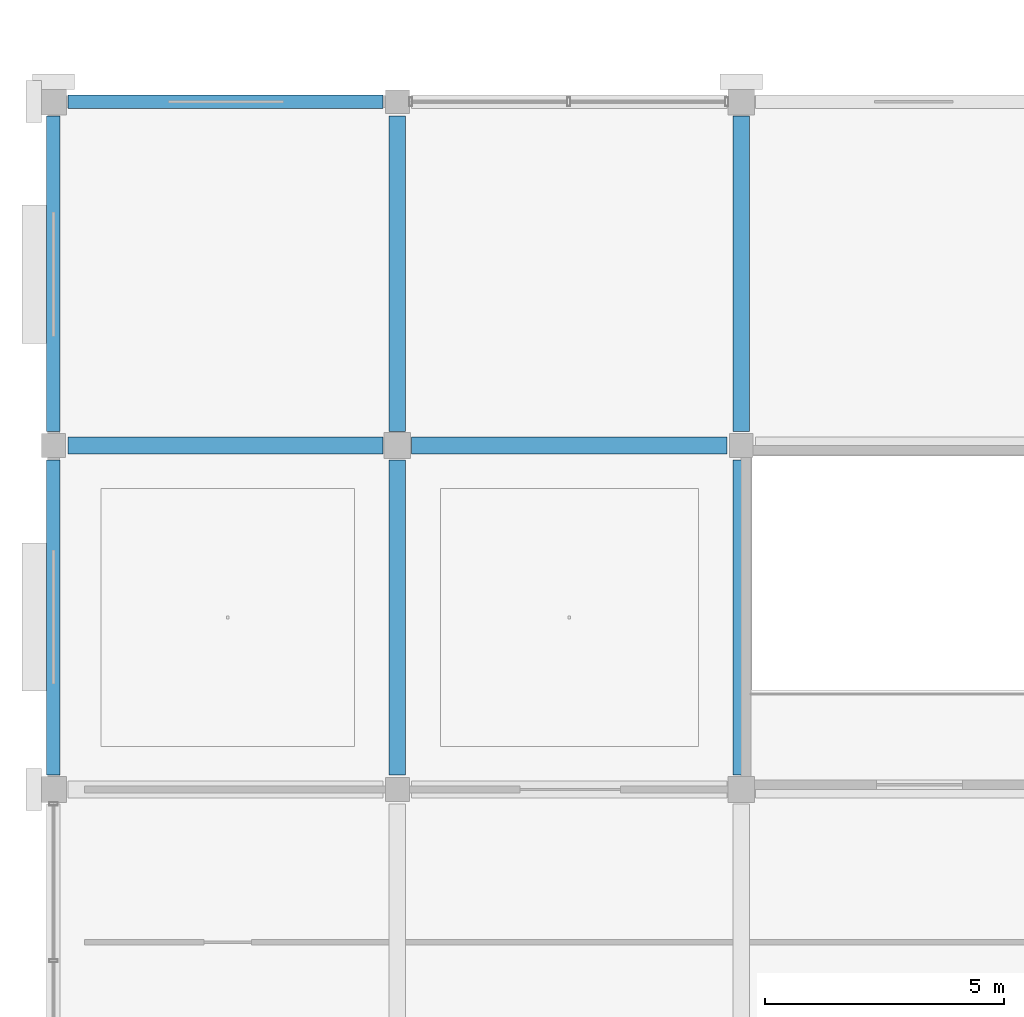
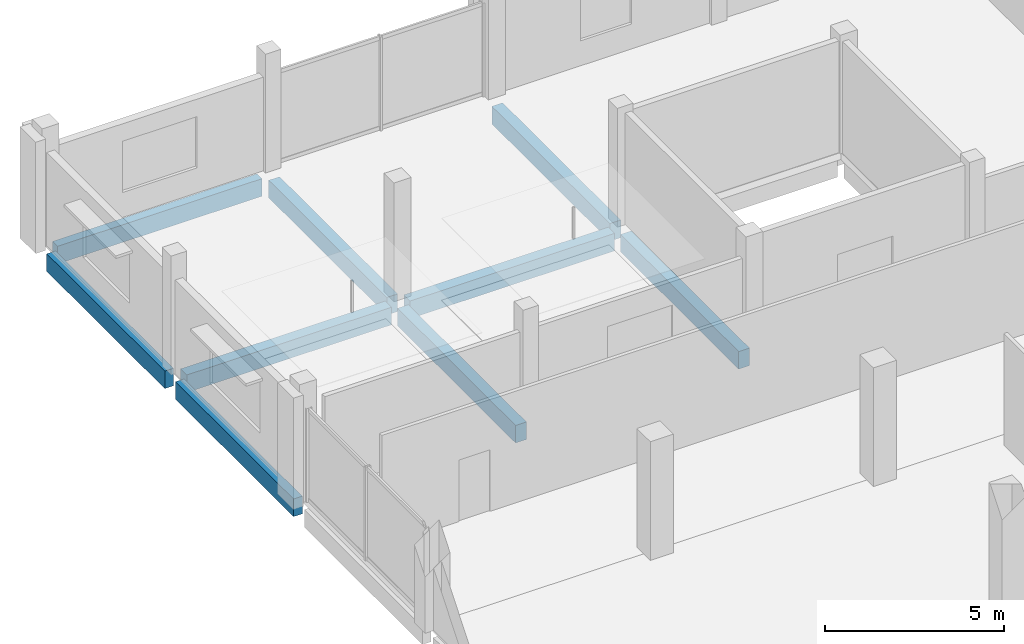
# One storey, part 21 of 91: 9 beams.
"""IFC4 building model written with IfcOpenShell, lengths in metres."""

import ifcopenshell
import ifcopenshell.guid

model = None  # the IFC model being written
_history = None  # IfcOwnerHistory: only IFC2X3 demands one
_inside = {}  # id of a spatial element -> (the spatial element, [elements in it])
_under = {}  # id of a project, library or spatial element -> (it, [spatial elements below it])
_declared = {}  # id of a project -> (the project, [libraries it declares])
_typed = {}  # id of a type object -> (the type object, [elements of that type])
_made_of = {}  # id of a material, layer set ... -> (it, [elements and type objects made of it])


def new_model(schema):
    """Start an empty IFC model of exactly this schema.

    Asked for "IFC4X3", IfcOpenShell would pick the latest addendum, in which some entities
    have other attributes; the version numbers below select the first issue.
    IFC2X3 requires an IfcOwnerHistory on every rooted entity: one is made here for all.
    """
    global model, _history
    if schema == "IFC4X3":
        model = ifcopenshell.file(schema_version=(4, 3, 0, 0))
    else:
        model = ifcopenshell.file(schema=schema)
    _inside.clear()
    _under.clear()
    _declared.clear()
    _typed.clear()
    _made_of.clear()
    _history = None
    if model.schema == "IFC2X3":
        org = make("IfcOrganization", Name="unknown")
        user = make(
            "IfcPersonAndOrganization",
            ThePerson=make("IfcPerson", FamilyName="unknown"),
            TheOrganization=org,
        )
        app = make(
            "IfcApplication",
            ApplicationDeveloper=org,
            Version="unknown",
            ApplicationFullName="unknown",
            ApplicationIdentifier="unknown",
        )
        _history = make(
            "IfcOwnerHistory",
            OwningUser=user,
            OwningApplication=app,
            ChangeAction="ADDED",
            CreationDate=0,
        )
    return model


def make(cls, **values):
    """One entity of the class cls with the attributes given. An attribute that is None is left unset."""
    return model.create_entity(
        cls, **{name: value for name, value in values.items() if value is not None}
    )


def rooted(cls, **values):
    """An entity with a GlobalId (a new one), such as an element, a storey or a relation."""
    return make(cls, GlobalId=ifcopenshell.guid.new(), OwnerHistory=_history, **values)


def si_unit(unit_type, name, prefix=None):
    """IfcSIUnit, for example si_unit("LENGTHUNIT", "METRE", prefix="MILLI")."""
    return make("IfcSIUnit", UnitType=unit_type, Prefix=prefix, Name=name)


def assignment(units):
    """IfcUnitAssignment: the units of a project."""
    return None if units is None else make("IfcUnitAssignment", Units=units)


def point(xyz):
    """IfcCartesianPoint."""
    return None if xyz is None else make("IfcCartesianPoint", Coordinates=xyz)


def direction(xyz):
    """IfcDirection."""
    return None if xyz is None else make("IfcDirection", DirectionRatios=xyz)


def frame(location, z_axis=None, x_axis=None):
    """IfcAxis2Placement3D, a coordinate frame: its origin and axes. An axis left out is left unset."""
    return make(
        "IfcAxis2Placement3D",
        Location=point(location),
        Axis=direction(z_axis),
        RefDirection=direction(x_axis),
    )


def frame_2d(location, x_axis=None):
    """IfcAxis2Placement2D, a coordinate frame in the plane: its origin and x axis."""
    return make(
        "IfcAxis2Placement2D", Location=point(location), RefDirection=direction(x_axis)
    )


def origin():
    """The frame at (0, 0, 0) with its axes left unset."""
    return frame((0.0, 0.0, 0.0))


def origin_2d():
    """The frame at (0, 0) in the plane with its x axis left unset."""
    return frame_2d((0.0, 0.0))


def place(relative_to, where):
    """IfcLocalPlacement: puts the frame where relative to a parent placement (None: the world)."""
    return make(
        "IfcLocalPlacement", PlacementRelTo=relative_to, RelativePlacement=where
    )


def context(
    kind, dimensions, precision=None, world=None, true_north=None, identifier=None
):
    """IfcGeometricRepresentationContext, for example the 3D "Model" context."""
    return make(
        "IfcGeometricRepresentationContext",
        ContextIdentifier=identifier,
        ContextType=kind,
        CoordinateSpaceDimension=dimensions,
        Precision=precision,
        WorldCoordinateSystem=world,
        TrueNorth=true_north,
    )


def subcontext(parent, identifier, kind, view, scale=None):
    """IfcGeometricRepresentationSubContext, for example "Body" below "Model"."""
    return make(
        "IfcGeometricRepresentationSubContext",
        ContextIdentifier=identifier,
        ContextType=kind,
        ParentContext=parent,
        TargetScale=scale,
        TargetView=view,
    )


def project(units=None, contexts=None):
    """IfcProject with its units and contexts."""
    return rooted(
        "IfcProject",
        Name="project",
        RepresentationContexts=contexts,
        UnitsInContext=assignment(units),
    )


def spatial(cls, under=None, at=None, **own):
    """A site, building, storey or space (cls), placed at a placement, below another one or the project."""
    s = rooted(cls, ObjectPlacement=at, **own)
    if under is not None:
        _under.setdefault(under.id(), (under, []))[1].append(s)
    return s


def profile(cls, at=None, kind="AREA", **sizes):
    """A parametric profile (cls). Its sizes go by their IFC names, for example OverallWidth=200.0."""
    return make(cls, ProfileType=kind, Position=at, **sizes)


def rectangle(**sizes):
    """IfcRectangleProfileDef."""
    return profile("IfcRectangleProfileDef", **sizes)


def extrude(swept, where, along, depth):
    """IfcExtrudedAreaSolid: the profile swept, set in the frame where, extruded along a direction by depth."""
    return make(
        "IfcExtrudedAreaSolid",
        SweptArea=swept,
        Position=where,
        ExtrudedDirection=direction(along),
        Depth=depth,
    )


def shape(context_of_items, identifier, shape_type, items):
    """IfcShapeRepresentation: the items that make up one representation, for example the "Body"."""
    return make(
        "IfcShapeRepresentation",
        ContextOfItems=context_of_items,
        RepresentationIdentifier=identifier,
        RepresentationType=shape_type,
        Items=items,
    )


def material(Name=None, Category=None):
    """IfcMaterial."""
    return make("IfcMaterial", Name=Name, Category=Category)


def material_profile(
    of_material, cross_section, Name=None, Category=None, Priority=None
):
    """IfcMaterialProfile: a cross section and its material."""
    return make(
        "IfcMaterialProfile",
        Name=Name,
        Material=of_material,
        Profile=cross_section,
        Priority=Priority,
        Category=Category,
    )


def profile_set(profiles, Name=None, composite=None):
    """IfcMaterialProfileSet."""
    return make(
        "IfcMaterialProfileSet",
        Name=Name,
        MaterialProfiles=profiles,
        CompositeProfile=composite,
    )


def made_of(thing, what):
    """Note that an element or type object is made of a material, layer set ...; save() writes the relation."""
    if what is not None:
        _made_of.setdefault(what.id(), (what, []))[1].append(thing)
    return thing


def type_object(cls, material=None, **own):
    """A type object (cls), such as IfcWallType, which elements share."""
    return made_of(rooted(cls, **own), material)


def element(
    cls,
    number,
    at=None,
    inside=None,
    cuts=None,
    type_object=None,
    material=None,
    context=None,
    identifier="Body",
    shape_type=None,
    held_by="IfcProductDefinitionShape",
    body=None,
    shapes=None,
    **own,
):
    """One element of the class cls, such as IfcWall. Its Tag is "e" and its number.

    at: its placement. inside: the storey or other place that contains it. cuts: it is an
    opening in that element (IfcRelVoidsElement). A single representation is given by context,
    identifier, shape_type and body (its items); several are given by shapes. held_by: the class
    of the entity that holds the representations. save() writes the other relations.
    """
    e = rooted(cls, Tag="e%d" % number, ObjectPlacement=at, **own)
    if body is not None:
        shapes = [shape(context, identifier, shape_type, body)]
    if shapes is not None:
        e.Representation = make(held_by, Representations=shapes)
    if inside is not None:
        _inside.setdefault(inside.id(), (inside, []))[1].append(e)
    if cuts is not None:
        rooted(
            "IfcRelVoidsElement", RelatingBuildingElement=cuts, RelatedOpeningElement=e
        )
    if type_object is not None:
        _typed.setdefault(type_object.id(), (type_object, []))[1].append(e)
    return made_of(e, material)


def aggregate(whole, parts):
    """IfcRelAggregates: a whole, such as a stair, and the parts it consists of."""
    return rooted("IfcRelAggregates", RelatingObject=whole, RelatedObjects=parts)


def save(model, path):
    """Write the relations noted so far, then the file.

    IfcRelAggregates (storeys below a building ...), IfcRelContainedInSpatialStructure (elements
    in a storey), IfcRelDefinesByType, IfcRelAssociatesMaterial and IfcRelDeclares: one each for
    every whole, place, type object, material and project.
    """
    for whole, parts in _under.values():
        aggregate(whole, parts)
    for where, things in _inside.values():
        rooted(
            "IfcRelContainedInSpatialStructure",
            RelatedElements=things,
            RelatingStructure=where,
        )
    for kind, things in _typed.values():
        rooted("IfcRelDefinesByType", RelatedObjects=things, RelatingType=kind)
    for what, things in _made_of.values():
        rooted("IfcRelAssociatesMaterial", RelatedObjects=things, RelatingMaterial=what)
    for by, libraries in _declared.values():
        rooted("IfcRelDeclares", RelatingContext=by, RelatedDefinitions=libraries)
    model.write(path)


model = new_model("IFC4")

# Units and contexts
model_context = context("Model", 3, precision=1e-05, world=origin(), true_north=direction((0.0, 1.0)))
body_context = subcontext(model_context, "Body", "Model", "MODEL_VIEW")
ifc_project = project(units=[si_unit("LENGTHUNIT", "METRE"), si_unit("AREAUNIT", "SQUARE_METRE"), si_unit("VOLUMEUNIT", "CUBIC_METRE"), si_unit("PLANEANGLEUNIT", "RADIAN"), si_unit("MASSUNIT", "GRAM", prefix="KILO")], contexts=[model_context])

# Site, building, storey
site_placement = place(None, origin())
site = spatial("IfcSite", under=ifc_project, at=site_placement, CompositionType="ELEMENT")
building_placement = place(site_placement, origin())
building = spatial("IfcBuilding", under=site, at=building_placement, Name="Kangsadwip Square Police Headquarters", CompositionType="ELEMENT")
storey_placement = place(building_placement, frame((0.0, 0.0, 13.5)))
storey = spatial("IfcBuildingStorey", under=building, at=storey_placement, Name="L03", CompositionType="ELEMENT", Elevation=13.5)

# Beams
ifc_material_1 = material(Name="Concrete M35 (35 MPa)", Category="concrete")
ifc_material_profile_1 = material_profile(ifc_material_1, rectangle(XDim=0.35009765625, YDim=0.60009765625, at=origin_2d()), Name="RC BM 600X350")
ifc_profile_set_1 = profile_set([ifc_material_profile_1], Name="Concrete M35 (35 MPa)")
beam_type_1 = type_object("IfcBeamType", Name="RcBeam600x350", PredefinedType="BEAM", material=ifc_profile_set_1)
beam_1_placement = place(storey_placement, frame((0.300048828125, 108.0, -0.5400390625), z_axis=(1.0, 0.0, 0.0), x_axis=(0.0, 1.0, 0.0)))
element("IfcBeam", 1, at=beam_1_placement, inside=storey, type_object=beam_type_1, Name="Beam BM-L03-X-00-15", PredefinedType="BEAM", context=body_context, shape_type="SweptSolid", body=[
    extrude(rectangle(XDim=0.35009765625, YDim=0.60009765625, at=origin_2d()), origin(), (0.0, 0.0, 1.0), 6.599853515625),
])
beam_2_placement = place(storey_placement, frame((7.5, 108.0, -0.5400390625), z_axis=(1.0, 0.0, 0.0), x_axis=(0.0, 1.0, 0.0)))
element("IfcBeam", 2, at=beam_2_placement, inside=storey, type_object=beam_type_1, Name="Beam BM-L03-X-01-15", PredefinedType="BEAM", context=body_context, shape_type="SweptSolid", body=[
    extrude(rectangle(XDim=0.35009765625, YDim=0.60009765625, at=origin_2d()), origin(), (0.0, 0.0, 1.0), 6.60009765625),
])
for number, where, z_axis, x_axis, name in (
    (3, (7.199951171875, 101.10009765625, -0.5400390625), (0.0, 1.0, 0.0), (-1.0, 0.0, 0.0), "Beam BM-L03-Y-01-14"),
    (4, (7.199951171875, 108.300048828125, -0.5400390625), (0.0, 1.0, 0.0), (-1.0, 0.0, 0.0), "Beam BM-L03-Y-01-15"),
    (5, (14.39990234375, 101.10009765625, -0.5400390625), (0.0, 1.0, 0.0), (-1.0, 0.0, 0.0), "Beam BM-L03-Y-02-14"),
    (6, (14.39990234375, 108.300048828125, -0.5400390625), (0.0, 1.0, 0.0), (-1.0, 0.0, 0.0), "Beam BM-L03-Y-02-15"),
):
    element("IfcBeam", number, at=place(storey_placement, frame(where, z_axis=z_axis, x_axis=x_axis)), inside=storey, type_object=beam_type_1, Name=name, PredefinedType="BEAM", context=body_context, shape_type="SweptSolid", body=[
        extrude(rectangle(XDim=0.35009765625, YDim=0.60009765625, at=origin_2d()), origin(), (0.0, 0.0, 1.0), 6.599853515625),
    ])
ifc_material_2 = material(Name="Concrete M40 (40 MPa)", Category="concrete")
ifc_material_profile_2 = material_profile(ifc_material_2, rectangle(XDim=0.280029296875, YDim=0.60009765625, at=origin_2d()), Name="RC SPN 600X280")
ifc_profile_set_2 = profile_set([ifc_material_profile_2], Name="Concrete M40 (40 MPa)")
beam_type_2 = type_object("IfcBeamType", Name="RcSpandrel600x280", PredefinedType="SPANDREL", material=ifc_profile_set_2)
for number, where, z_axis, x_axis, name in (
    (7, (0.300048828125, 115.199951171875, -0.5400390625), (1.0, 0.0, 0.0), (0.0, 1.0, 0.0), "Beam BM-L03-X-00-16"),
    (8, (0.0, 101.10009765625, -0.5400390625), (0.0, 1.0, 0.0), (-1.0, 0.0, 0.0), "Beam BM-L03-Y-00-14"),
    (9, (0.0, 108.300048828125, -0.5400390625), (0.0, 1.0, 0.0), (-1.0, 0.0, 0.0), "Beam BM-L03-Y-00-15"),
):
    element("IfcBeam", number, at=place(storey_placement, frame(where, z_axis=z_axis, x_axis=x_axis)), inside=storey, type_object=beam_type_2, Name=name, PredefinedType="SPANDREL", context=body_context, shape_type="SweptSolid", body=[
        extrude(rectangle(XDim=0.280029296875, YDim=0.60009765625, at=origin_2d()), origin(), (0.0, 0.0, 1.0), 6.599853515625),
    ])

save(model, "model.ifc")
